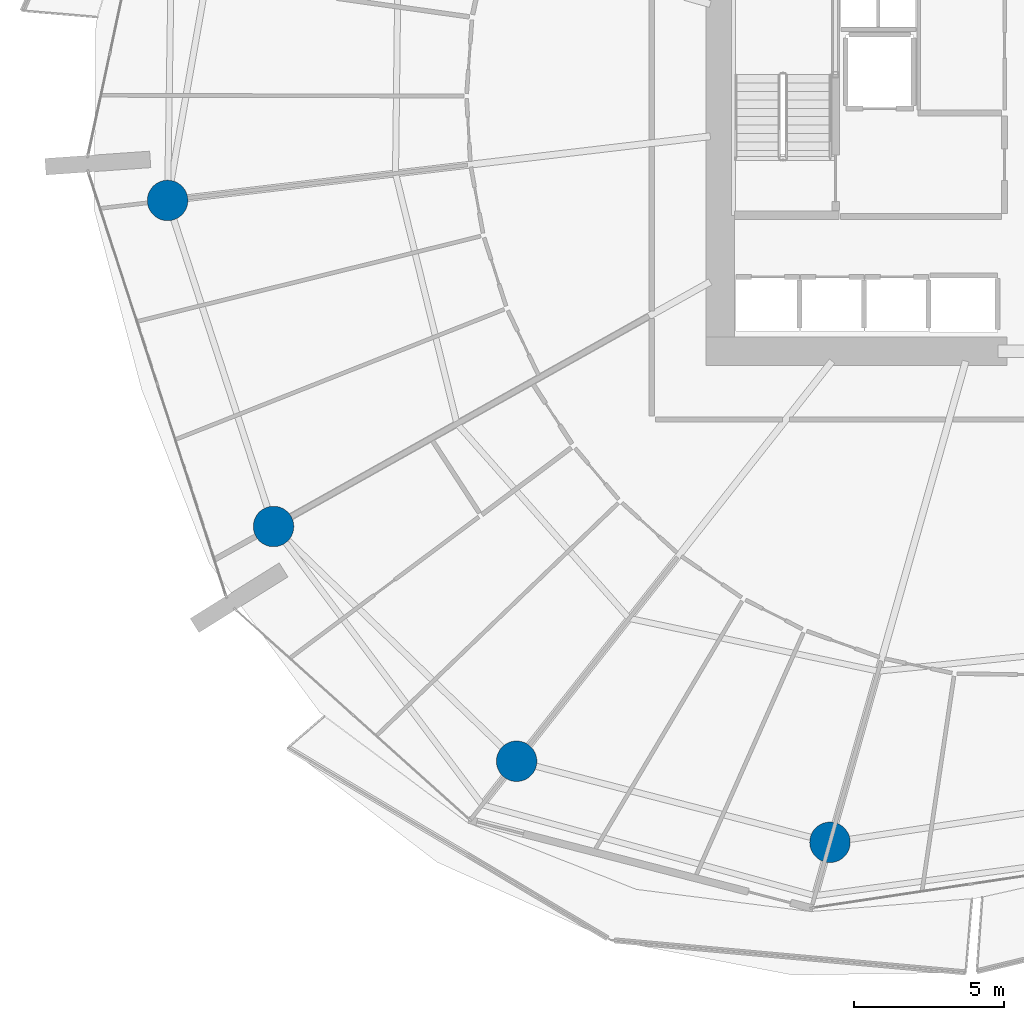
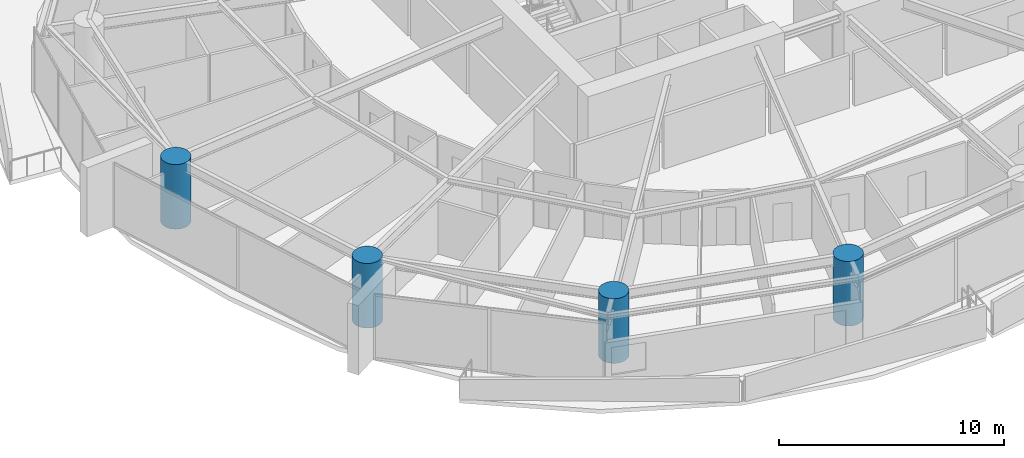
# One storey, part 1 of 31: 4 columns.
"""IFC4 building model written with IfcOpenShell, lengths in metres."""

from ifc_helpers import new_model, si_unit, direction, frame, origin, origin_2d, place, context, subcontext, project, spatial, circle, extrude, material, material_profile, profile_set, type_object, element, save


model = new_model("IFC4")

# Units and contexts
model_context = context("Model", 3, precision=1e-05, world=origin(), true_north=direction((0.0, 1.0)))
body_context = subcontext(model_context, "Body", "Model", "MODEL_VIEW")
ifc_project = project(units=[si_unit("LENGTHUNIT", "METRE"), si_unit("AREAUNIT", "SQUARE_METRE"), si_unit("VOLUMEUNIT", "CUBIC_METRE"), si_unit("PLANEANGLEUNIT", "RADIAN"), si_unit("MASSUNIT", "GRAM", prefix="KILO")], contexts=[model_context])

# Site, building, storey
site_placement = place(None, origin())
site = spatial("IfcSite", under=ifc_project, at=site_placement, CompositionType="ELEMENT")
building_placement = place(site_placement, origin())
building = spatial("IfcBuilding", under=site, at=building_placement, Name="Kazma Halo Residences", CompositionType="ELEMENT")
storey_placement = place(building_placement, frame((0.0, 0.0, 45.14990234375)))
storey = spatial("IfcBuildingStorey", under=building, at=storey_placement, Name="L10", CompositionType="ELEMENT", Elevation=45.14990234375)

# Columns
ifc_material = material(Name="Concrete C80/95", Category="concrete")
ifc_material_profile = material_profile(ifc_material, circle(Radius=0.675048828125, at=origin_2d()), Name="CIRC1350")
ifc_profile_set = profile_set([ifc_material_profile], Name="Concrete C80/95")
column_type = type_object("IfcColumnType", Name="COL-PERIM-1350", PredefinedType="COLUMN", material=ifc_profile_set)
for number, where, z_axis, x_axis, name in (
    (1, (18.902099609375, 38.555908203125, 0.0), (0.0, 0.0, 1.0), (1.0, 0.0, 0.0), "L10 perimeter ring column P08"),
    (2, (22.43505859375, 27.682861328125, 0.0), (0.0, 0.0, 1.0), (1.0, 0.0, 0.0), "L10 perimeter ring column P09"),
    (3, (30.541748046875, 19.854248046875, 0.0), (0.0, 0.0, 1.0), (1.0, 0.0, 0.0), "L10 perimeter ring column P10"),
    (4, (40.99169921875, 17.150634765625, 0.0), (0.0, 0.0, 1.0), (1.0, 0.0, 0.0), "L10 perimeter ring column P11"),
):
    element("IfcColumn", number, at=place(storey_placement, frame(where, z_axis=z_axis, x_axis=x_axis)), inside=storey, type_object=column_type, Name=name, PredefinedType="COLUMN", context=body_context, shape_type="SweptSolid", body=[
        extrude(circle(Radius=0.675048828125, at=origin_2d()), origin(), (0.0, 0.0, 1.0), 3.5),
    ])

save(model, "model.ifc")
